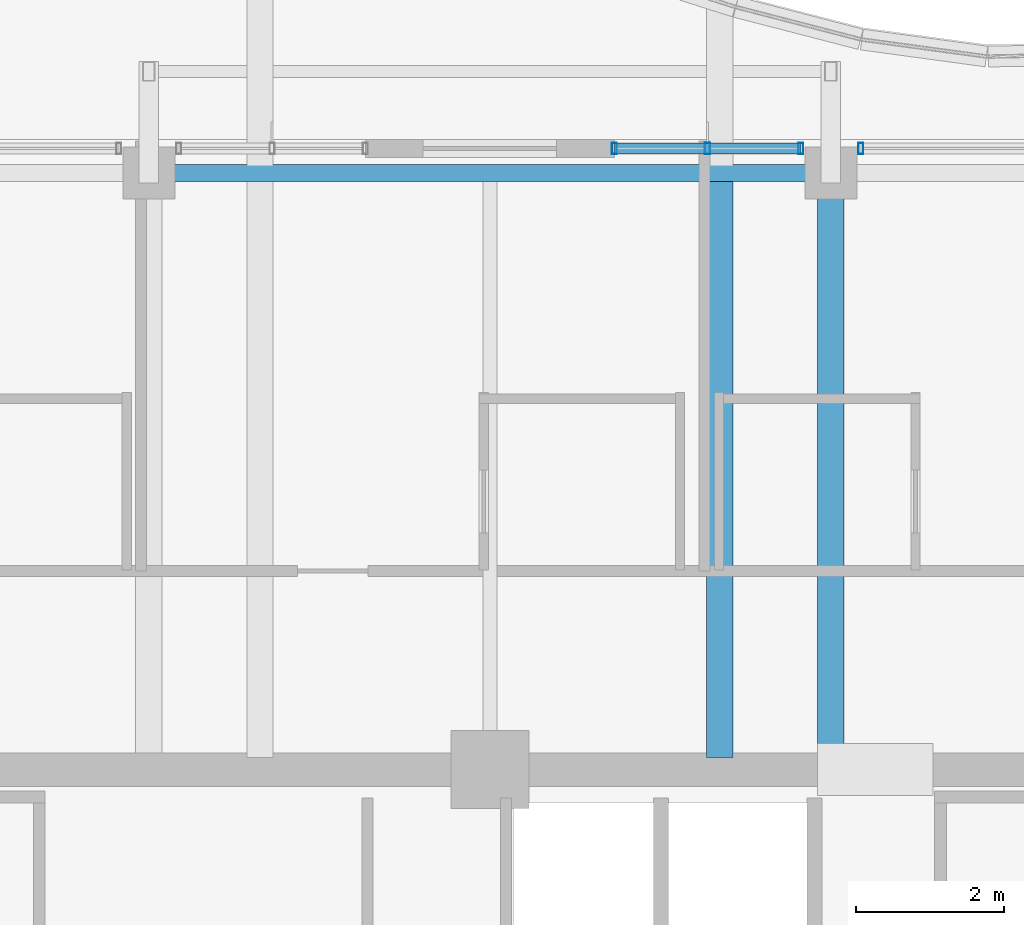
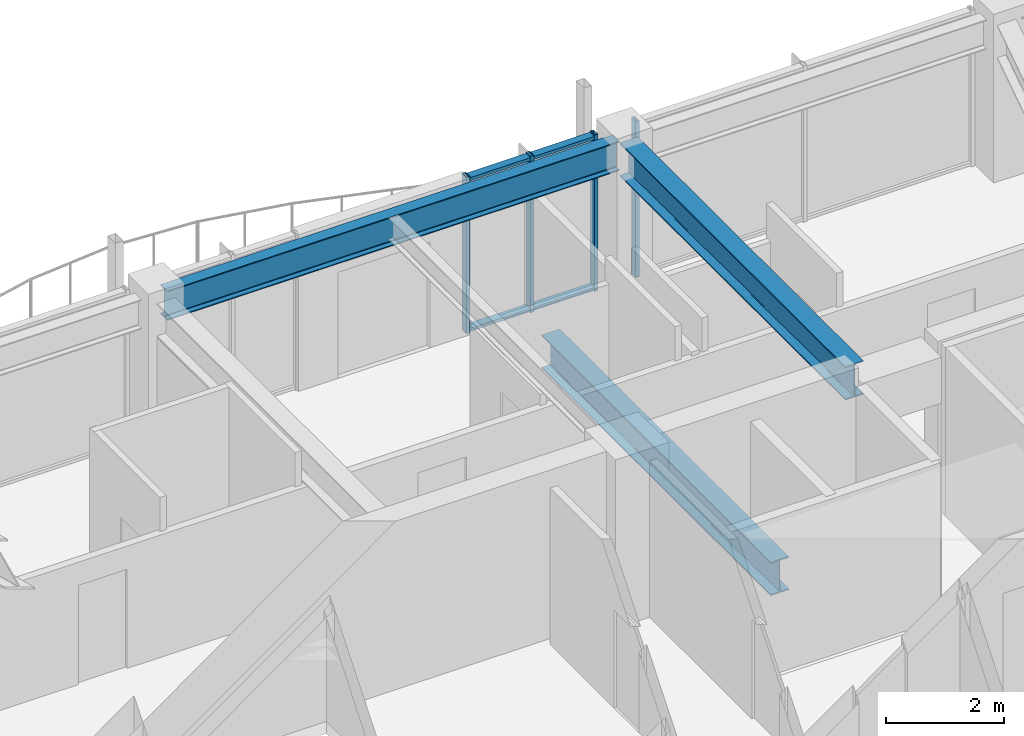
# One storey, part 17 of 34: 6 members, 3 beams, 2 elements without a shape of their own.
"""IFC4 building model written with IfcOpenShell, lengths in metres."""

from ifc_helpers import new_model, si_unit, direction, frame, origin, origin_2d, place, context, subcontext, project, spatial, hollow_rectangle, i_section, extrude, material, material_profile, profile_set, type_object, element, aggregate, save


model = new_model("IFC4")

# Units and contexts
model_context = context("Model", 3, precision=1e-05, world=origin(), true_north=direction((0.0, 1.0)))
body_context = subcontext(model_context, "Body", "Model", "MODEL_VIEW")
ifc_project = project(units=[si_unit("LENGTHUNIT", "METRE"), si_unit("AREAUNIT", "SQUARE_METRE"), si_unit("VOLUMEUNIT", "CUBIC_METRE"), si_unit("PLANEANGLEUNIT", "RADIAN"), si_unit("MASSUNIT", "GRAM", prefix="KILO")], contexts=[model_context])

# Site, building, storey
site_placement = place(None, origin())
site = spatial("IfcSite", under=ifc_project, at=site_placement, CompositionType="ELEMENT")
building_placement = place(site_placement, origin())
building = spatial("IfcBuilding", under=site, at=building_placement, Name="Kolvaren Belvedere", CompositionType="ELEMENT")
storey_placement = place(building_placement, frame((0.0, 0.0, 240.89990234375)))
storey = spatial("IfcBuildingStorey", under=building, at=storey_placement, Name="L70", CompositionType="ELEMENT", Elevation=240.89990234375)

# Beams
ifc_material_1 = material(Name="Structural steel ASTM A992 Grade 50", Category="steel")
ifc_material_profile_1 = material_profile(ifc_material_1, i_section(OverallWidth=0.35498046875, OverallDepth=0.696044921875, WebThickness=0.015380859375, FlangeThickness=0.02490234375, FilletRadius=0.02197265625, at=origin_2d()), Name="W27X146")
ifc_profile_set_1 = profile_set([ifc_material_profile_1], Name="Structural steel ASTM A992 Grade 50")
beam_type_1 = type_object("IfcBeamType", Name="BM-GIRD-W27X146", PredefinedType="BEAM", material=ifc_profile_set_1)
beam_1_placement = place(storey_placement, frame((3.10009765625, 10.06494140625, -0.597900390625), z_axis=(0.0, 1.0, 0.0), x_axis=(-1.0, 0.0, 0.0)))
element("IfcBeam", 1, at=beam_1_placement, inside=storey, type_object=beam_type_1, Name="L70 Balcony Interior Back-Span Girder BAL-N-2", PredefinedType="BEAM", context=body_context, shape_type="SweptSolid", body=[
    extrude(i_section(OverallWidth=0.35498046875, OverallDepth=0.696044921875, WebThickness=0.015380859375, FlangeThickness=0.02490234375, FilletRadius=0.02197265625, at=origin_2d()), origin(), (0.0, 0.0, 1.0), 7.7900390625),
])
beam_2_placement = place(storey_placement, frame((4.60009765625, 10.125, 2.902099609375), z_axis=(0.0, 1.0, 0.0), x_axis=(-1.0, 0.0, 0.0)))
element("IfcBeam", 2, at=beam_2_placement, inside=storey, type_object=beam_type_1, Name="L70 North Radial Girder P", PredefinedType="BEAM", context=body_context, shape_type="SweptSolid", body=[
    extrude(i_section(OverallWidth=0.35498046875, OverallDepth=0.696044921875, WebThickness=0.015380859375, FlangeThickness=0.02490234375, FilletRadius=0.02197265625, at=origin_2d()), origin(), (0.0, 0.0, 1.0), 7.66748046875),
])
ifc_material_2 = material(Name="Structural steel ASTM A992 Grade 50", Category="steel")
ifc_material_profile_2 = material_profile(ifc_material_2, i_section(OverallWidth=0.22900390625, OverallDepth=0.612060546875, WebThickness=0.011962890625, FlangeThickness=0.01953125, FilletRadius=0.01806640625, at=origin_2d()), Name="W24X84")
ifc_profile_set_2 = profile_set([ifc_material_profile_2], Name="Structural steel ASTM A992 Grade 50")
beam_type_2 = type_object("IfcBeamType", Name="BM-SPAN-W24X84", PredefinedType="SPANDREL", material=ifc_profile_set_2)
beam_3_placement = place(storey_placement, frame((4.4423828125, 17.949951171875, 2.944091796875), z_axis=(-1.0, 0.0, 0.0), x_axis=(0.0, -1.0, 0.0)))
element("IfcBeam", 3, at=beam_3_placement, inside=storey, type_object=beam_type_2, Name="L70 Perimeter Spandrel N3-N2", PredefinedType="SPANDREL", context=body_context, shape_type="SweptSolid", body=[
    extrude(i_section(OverallWidth=0.22900390625, OverallDepth=0.612060546875, WebThickness=0.011962890625, FlangeThickness=0.01953125, FilletRadius=0.01806640625, at=origin_2d()), origin(), (0.0, 0.0, 1.0), 8.884765625),
])

# Curtain wall, members
ifc_material_3 = material(Name="Anodised pale-metal aluminium AA 6063-T6", Category="aluminium")
curtain_wall_type = type_object("IfcCurtainWallType", Name="CW-Z5-HIGH", PredefinedType="NOTDEFINED", material=ifc_material_3)
curtain_wall_1_placement = place(storey_placement, origin())
curtain_wall_1 = element("IfcCurtainWall", 4, at=curtain_wall_1_placement, inside=storey, type_object=curtain_wall_type, Name="L70 Unitised Curtain Wall FCW-L70-N2-B1", PredefinedType="NOTDEFINED")
ifc_material_4 = material(Name="Anodised pale-metal aluminium AA 6063-T6", Category="aluminium")
ifc_material_profile_3 = material_profile(ifc_material_4, hollow_rectangle(XDim=0.070068359375, YDim=0.14990234375, WallThickness=0.004150390625, at=origin_2d()), Name="ALU-MUL-150X70")
ifc_profile_set_3 = profile_set([ifc_material_profile_3], Name="Anodised pale-metal aluminium AA 6063-T6")
member_type_1 = type_object("IfcMemberType", Name="CW-MUL-150", PredefinedType="MULLION", material=ifc_profile_set_3)
member_1_placement = place(storey_placement, frame((1.679931640625, 18.280029296875, 0.0), z_axis=(0.0, 0.0, 1.0), x_axis=(1.0, 0.0, 0.0)))
member_1 = element("IfcMember", 5, at=member_1_placement, type_object=member_type_1, Name="FCW-L70-N2-B1 Unitised Mullion 1", PredefinedType="MULLION", context=body_context, shape_type="SweptSolid", body=[
    extrude(hollow_rectangle(XDim=0.070068359375, YDim=0.14990234375, WallThickness=0.004150390625, at=origin_2d()), origin(), (0.0, 0.0, 1.0), 3.25),
])
member_2_placement = place(storey_placement, frame((2.9375, 18.280029296875, 0.0), z_axis=(0.0, 0.0, 1.0), x_axis=(1.0, 0.0, 0.0)))
member_2 = element("IfcMember", 6, at=member_2_placement, type_object=member_type_1, Name="FCW-L70-N2-B1 Unitised Mullion 2", PredefinedType="MULLION", context=body_context, shape_type="SweptSolid", body=[
    extrude(hollow_rectangle(XDim=0.070068359375, YDim=0.14990234375, WallThickness=0.004150390625, at=origin_2d()), origin(), (0.0, 0.0, 1.0), 3.25),
])
member_3_placement = place(storey_placement, frame((4.195068359375, 18.280029296875, 0.0), z_axis=(0.0, 0.0, 1.0), x_axis=(1.0, 0.0, 0.0)))
member_3 = element("IfcMember", 7, at=member_3_placement, type_object=member_type_1, Name="FCW-L70-N2-B1 Unitised Mullion 3", PredefinedType="MULLION", context=body_context, shape_type="SweptSolid", body=[
    extrude(hollow_rectangle(XDim=0.070068359375, YDim=0.14990234375, WallThickness=0.004150390625, at=origin_2d()), origin(), (0.0, 0.0, 1.0), 3.25),
])

# Curtain wall, member
curtain_wall_2_placement = place(storey_placement, origin())
curtain_wall_2 = element("IfcCurtainWall", 8, at=curtain_wall_2_placement, inside=storey, type_object=curtain_wall_type, Name="L70 Unitised Curtain Wall FCW-L70-N2-B2", PredefinedType="NOTDEFINED")
member_4_placement = place(storey_placement, frame((5.0048828125, 18.280029296875, 0.0), z_axis=(0.0, 0.0, 1.0), x_axis=(1.0, 0.0, 0.0)))
member_4 = element("IfcMember", 9, at=member_4_placement, type_object=member_type_1, Name="FCW-L70-N2-B2 Unitised Mullion 1", PredefinedType="MULLION", context=body_context, shape_type="SweptSolid", body=[
    extrude(hollow_rectangle(XDim=0.070068359375, YDim=0.14990234375, WallThickness=0.004150390625, at=origin_2d()), origin(), (0.0, 0.0, 1.0), 3.25),
])
aggregate(curtain_wall_2, [member_4])

# Member
ifc_material_5 = material(Name="Anodised pale-metal aluminium AA 6063-T6", Category="aluminium")
ifc_material_profile_4 = material_profile(ifc_material_5, hollow_rectangle(XDim=0.06494140625, YDim=0.14990234375, WallThickness=0.00390625, at=origin_2d()), Name="ALU-TRN-150X65")
ifc_profile_set_4 = profile_set([ifc_material_profile_4], Name="Anodised pale-metal aluminium AA 6063-T6")
member_type_2 = type_object("IfcMemberType", Name="CW-TRN-150", PredefinedType="USERDEFINED", material=ifc_profile_set_4)
member_5_placement = place(storey_placement, frame((1.679931640625, 18.280029296875, 0.06005859375), z_axis=(1.0, 0.0, 0.0), x_axis=(0.0, 0.0, 1.0)))
member_5 = element("IfcMember", 10, at=member_5_placement, type_object=member_type_2, Name="FCW-L70-N2-B1 Sill Transom", ObjectType="TRANSOM", PredefinedType="USERDEFINED", context=body_context, shape_type="SweptSolid", body=[
    extrude(hollow_rectangle(XDim=0.06494140625, YDim=0.14990234375, WallThickness=0.00390625, at=origin_2d()), origin(), (0.0, 0.0, 1.0), 2.51513671875),
])

member_6_placement = place(storey_placement, frame((1.679931640625, 18.280029296875, 3.190185546875), z_axis=(1.0, 0.0, 0.0), x_axis=(0.0, 0.0, 1.0)))
member_6 = element("IfcMember", 11, at=member_6_placement, type_object=member_type_2, Name="FCW-L70-N2-B1 Head Transom", ObjectType="TRANSOM", PredefinedType="USERDEFINED", context=body_context, shape_type="SweptSolid", body=[
    extrude(hollow_rectangle(XDim=0.06494140625, YDim=0.14990234375, WallThickness=0.00390625, at=origin_2d()), origin(), (0.0, 0.0, 1.0), 2.51513671875),
])

aggregate(curtain_wall_1, [member_1, member_2, member_3, member_5, member_6])

save(model, "model.ifc")
